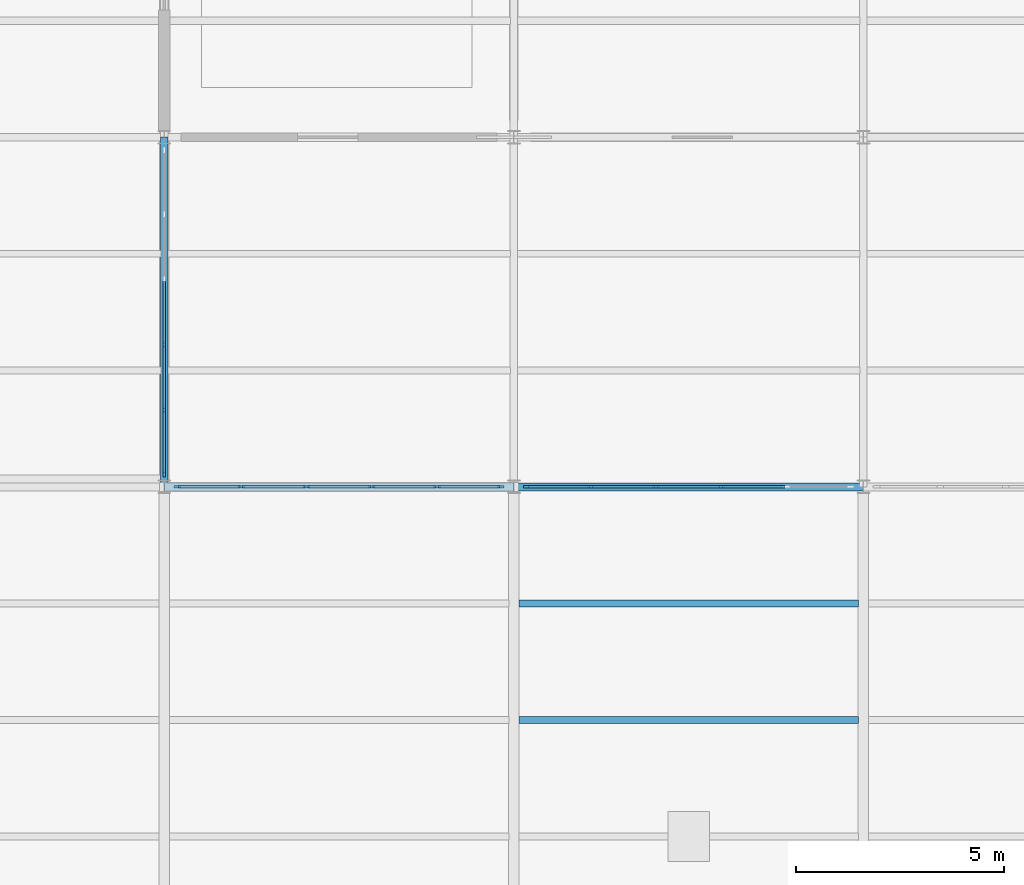
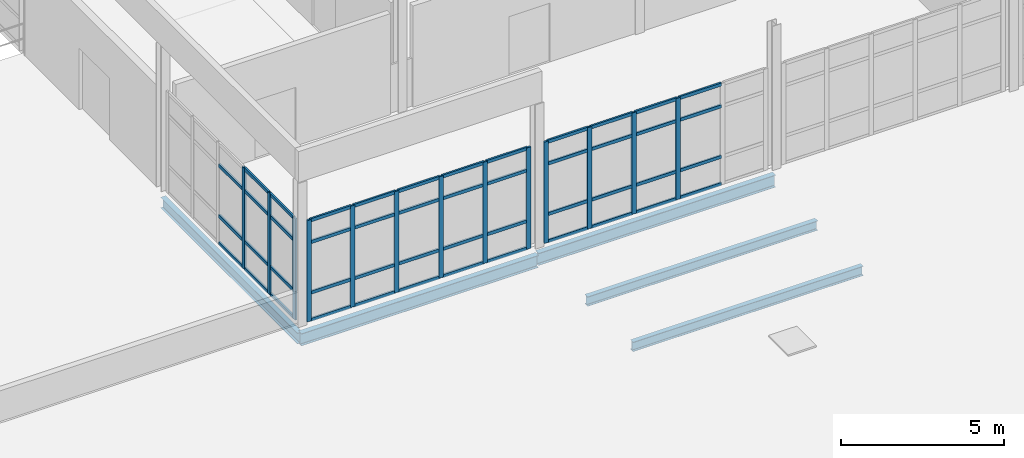
# One storey, part 8 of 33: 60 members, 5 beams, 3 elements without a shape of their own.
"""IFC4 building model written with IfcOpenShell, lengths in metres."""

from ifc_helpers import new_model, si_unit, direction, frame, origin, origin_2d, place, context, subcontext, project, spatial, rectangle, i_section, extrude, material, layer, layer_set, material_profile, profile_set, type_object, element, aggregate, save


model = new_model("IFC4")

# Units and contexts
model_context = context("Model", 3, precision=1e-05, world=origin(), true_north=direction((0.0, 1.0)))
body_context = subcontext(model_context, "Body", "Model", "MODEL_VIEW")
ifc_project = project(units=[si_unit("LENGTHUNIT", "METRE"), si_unit("AREAUNIT", "SQUARE_METRE"), si_unit("VOLUMEUNIT", "CUBIC_METRE"), si_unit("PLANEANGLEUNIT", "RADIAN"), si_unit("MASSUNIT", "GRAM", prefix="KILO"), si_unit("THERMODYNAMICTEMPERATUREUNIT", "KELVIN"), si_unit("POWERUNIT", "WATT")], contexts=[model_context])

# Site, building, storey
site_placement = place(None, origin())
site = spatial("IfcSite", under=ifc_project, at=site_placement, CompositionType="ELEMENT")
building_placement = place(site_placement, origin())
building = spatial("IfcBuilding", under=site, at=building_placement, Name="Tembeka Court Mobility Hub", CompositionType="ELEMENT")
storey_placement = place(building_placement, frame((0.0, 0.0, 23.39990234375)))
storey = spatial("IfcBuildingStorey", under=building, at=storey_placement, Name="L06", CompositionType="ELEMENT", Elevation=23.39990234375)

# Beams
ifc_material_1 = material(Name="Steel S355", Category="steel")
ifc_material_profile_1 = material_profile(ifc_material_1, i_section(OverallWidth=0.18994140625, OverallDepth=0.45703125, WebThickness=0.009033203125, FlangeThickness=0.014404296875, FilletRadius=0.01025390625, at=origin_2d()), Name="UKB 457x191x74")
ifc_profile_set_1 = profile_set([ifc_material_profile_1], Name="Steel S355")
beam_type_1 = type_object("IfcBeamType", Name="BM-B01", PredefinedType="BEAM", material=ifc_profile_set_1)
for number, where, z_axis, x_axis, name in (
    (1, (33.60009765625, 38.39990234375, -0.54833984375), (1.0, 0.0, 0.0), (0.0, 1.0, 0.0), "Beam B01 (BM-L06-X3115)"),
    (2, (42.0, 38.39990234375, -0.478515625), (1.0, 0.0, 0.0), (0.0, 1.0, 0.0), "Beam B01 (BM-L06-X3116)"),
):
    element("IfcBeam", number, at=place(storey_placement, frame(where, z_axis=z_axis, x_axis=x_axis)), inside=storey, type_object=beam_type_1, Name=name, PredefinedType="BEAM", context=body_context, shape_type="SweptSolid", body=[
        extrude(i_section(OverallWidth=0.18994140625, OverallDepth=0.45703125, WebThickness=0.009033203125, FlangeThickness=0.014404296875, FilletRadius=0.01025390625, at=origin_2d()), origin(), (0.0, 0.0, 1.0), 8.39990234375),
    ])
ifc_material_profile_2 = material_profile(ifc_material_1, i_section(OverallWidth=0.177978515625, OverallDepth=0.406005859375, WebThickness=0.0078125, FlangeThickness=0.0126953125, FilletRadius=0.01025390625, at=origin_2d()), Name="UKB 406x178x60")
ifc_profile_set_2 = profile_set([ifc_material_profile_2], Name="Steel S355")
beam_type_2 = type_object("IfcBeamType", Name="BM-B02", PredefinedType="BEAM", material=ifc_profile_set_2)
beam_placement = place(storey_placement, frame((33.60009765625, 38.39990234375, -0.52294921875), z_axis=(0.0, 1.0, 0.0), x_axis=(-1.0, 0.0, 0.0)))
element("IfcBeam", 3, at=beam_placement, inside=storey, type_object=beam_type_2, Name="Beam B02 (BM-L06-Y3233)", PredefinedType="BEAM", context=body_context, shape_type="SweptSolid", body=[
    extrude(i_section(OverallWidth=0.177978515625, OverallDepth=0.406005859375, WebThickness=0.0078125, FlangeThickness=0.0126953125, FilletRadius=0.01025390625, at=origin_2d()), origin(), (0.0, 0.0, 1.0), 8.400146484375),
])
ifc_material_profile_3 = material_profile(ifc_material_1, i_section(OverallWidth=0.172119140625, OverallDepth=0.35498046875, WebThickness=0.00732421875, FlangeThickness=0.011474609375, FilletRadius=0.01025390625, at=origin_2d()), Name="UKB 356x171x51")
ifc_profile_set_3 = profile_set([ifc_material_profile_3], Name="Steel S355")
beam_type_3 = type_object("IfcBeamType", Name="BM-J01", PredefinedType="JOIST", material=ifc_profile_set_3)
for number, where, z_axis, x_axis, name in (
    (4, (42.1220703125, 32.800048828125, -0.407470703125), (1.0, 0.0, 0.0), (0.0, 1.0, 0.0), "Beam J01 (JST-L06-3388)"),
    (5, (42.1220703125, 35.60009765625, -0.407470703125), (1.0, 0.0, 0.0), (0.0, 1.0, 0.0), "Beam J01 (JST-L06-3389)"),
):
    element("IfcBeam", number, at=place(storey_placement, frame(where, z_axis=z_axis, x_axis=x_axis)), inside=storey, type_object=beam_type_3, Name=name, PredefinedType="JOIST", context=body_context, shape_type="SweptSolid", body=[
        extrude(i_section(OverallWidth=0.172119140625, OverallDepth=0.35498046875, WebThickness=0.00732421875, FlangeThickness=0.011474609375, FilletRadius=0.01025390625, at=origin_2d()), origin(), (0.0, 0.0, 1.0), 8.156005859375),
    ])

# Curtain wall, members
ifc_material_2 = material(Name="Anodised aluminium 6063-T6", Category="aluminium")
ifc_layer = layer(ifc_material_2, 0.159912109375)
ifc_layer_set = layer_set([ifc_layer], Name="Anodised aluminium 6063-T6")
curtain_wall_type = type_object("IfcCurtainWallType", Name="CW-SYS57", PredefinedType="USERDEFINED", material=ifc_layer_set)
curtain_wall_1_placement = place(storey_placement, origin())
curtain_wall_1 = element("IfcCurtainWall", 6, at=curtain_wall_1_placement, inside=storey, type_object=curtain_wall_type, Name="Unitised curtain wall CW57 (CW-L06-150)", ObjectType="UNITISED GLAZING", PredefinedType="USERDEFINED")
ifc_material_profile_4 = material_profile(ifc_material_2, rectangle(XDim=0.06494140625, YDim=0.159912109375, at=origin_2d()), Name="ALU-MUL 65x160")
ifc_profile_set_4 = profile_set([ifc_material_profile_4], Name="Anodised aluminium 6063-T6")
member_type_1 = type_object("IfcMemberType", Name="CW-MUL01", PredefinedType="MULLION", material=ifc_profile_set_4)
member_1_placement = place(storey_placement, frame((33.60009765625, 38.71240234375, 0.0), z_axis=(0.0, 0.0, 1.0), x_axis=(-1.0, 0.0, 0.0)))
member_1 = element("IfcMember", 7, at=member_1_placement, type_object=member_type_1, Name="CW57 mullion 1", PredefinedType="MULLION", context=body_context, shape_type="SweptSolid", body=[
    extrude(rectangle(XDim=0.06494140625, YDim=0.159912109375, at=origin_2d()), origin(), (0.0, 0.0, 1.0), 3.795166015625),
])
member_2_placement = place(storey_placement, frame((33.60009765625, 40.248046875, 0.0), z_axis=(0.0, 0.0, 1.0), x_axis=(-1.0, 0.0, 0.0)))
member_2 = element("IfcMember", 8, at=member_2_placement, type_object=member_type_1, Name="CW57 mullion 2", PredefinedType="MULLION", context=body_context, shape_type="SweptSolid", body=[
    extrude(rectangle(XDim=0.06494140625, YDim=0.159912109375, at=origin_2d()), origin(), (0.0, 0.0, 1.0), 3.795166015625),
])
member_3_placement = place(storey_placement, frame((33.60009765625, 41.81591796875, 0.0), z_axis=(0.0, 0.0, 1.0), x_axis=(-1.0, 0.0, 0.0)))
member_3 = element("IfcMember", 9, at=member_3_placement, type_object=member_type_1, Name="CW57 mullion 3", PredefinedType="MULLION", context=body_context, shape_type="SweptSolid", body=[
    extrude(rectangle(XDim=0.06494140625, YDim=0.159912109375, at=origin_2d()), origin(), (0.0, 0.0, 1.0), 3.795166015625),
])

curtain_wall_2_placement = place(storey_placement, origin())
curtain_wall_2 = element("IfcCurtainWall", 10, at=curtain_wall_2_placement, inside=storey, type_object=curtain_wall_type, Name="Unitised curtain wall CW57 (CW-L06-152)", ObjectType="UNITISED GLAZING", PredefinedType="USERDEFINED")
member_4_placement = place(storey_placement, frame((33.91259765625, 38.39990234375, 0.0), z_axis=(0.0, 0.0, 1.0), x_axis=(0.0, 1.0, 0.0)))
member_4 = element("IfcMember", 11, at=member_4_placement, type_object=member_type_1, Name="CW57 mullion 1", PredefinedType="MULLION", context=body_context, shape_type="SweptSolid", body=[
    extrude(rectangle(XDim=0.06494140625, YDim=0.159912109375, at=origin_2d()), origin(), (0.0, 0.0, 1.0), 3.795166015625),
])
member_5_placement = place(storey_placement, frame((35.447998046875, 38.39990234375, 0.0), z_axis=(0.0, 0.0, 1.0), x_axis=(0.0, 1.0, 0.0)))
member_5 = element("IfcMember", 12, at=member_5_placement, type_object=member_type_1, Name="CW57 mullion 2", PredefinedType="MULLION", context=body_context, shape_type="SweptSolid", body=[
    extrude(rectangle(XDim=0.06494140625, YDim=0.159912109375, at=origin_2d()), origin(), (0.0, 0.0, 1.0), 3.795166015625),
])
member_6_placement = place(storey_placement, frame((37.01611328125, 38.39990234375, 0.0), z_axis=(0.0, 0.0, 1.0), x_axis=(0.0, 1.0, 0.0)))
member_6 = element("IfcMember", 13, at=member_6_placement, type_object=member_type_1, Name="CW57 mullion 3", PredefinedType="MULLION", context=body_context, shape_type="SweptSolid", body=[
    extrude(rectangle(XDim=0.06494140625, YDim=0.159912109375, at=origin_2d()), origin(), (0.0, 0.0, 1.0), 3.795166015625),
])
member_7_placement = place(storey_placement, frame((38.583984375, 38.39990234375, 0.0), z_axis=(0.0, 0.0, 1.0), x_axis=(0.0, 1.0, 0.0)))
member_7 = element("IfcMember", 14, at=member_7_placement, type_object=member_type_1, Name="CW57 mullion 4", PredefinedType="MULLION", context=body_context, shape_type="SweptSolid", body=[
    extrude(rectangle(XDim=0.06494140625, YDim=0.159912109375, at=origin_2d()), origin(), (0.0, 0.0, 1.0), 3.795166015625),
])
member_8_placement = place(storey_placement, frame((40.152099609375, 38.39990234375, 0.0), z_axis=(0.0, 0.0, 1.0), x_axis=(0.0, 1.0, 0.0)))
member_8 = element("IfcMember", 15, at=member_8_placement, type_object=member_type_1, Name="CW57 mullion 5", PredefinedType="MULLION", context=body_context, shape_type="SweptSolid", body=[
    extrude(rectangle(XDim=0.06494140625, YDim=0.159912109375, at=origin_2d()), origin(), (0.0, 0.0, 1.0), 3.795166015625),
])
member_9_placement = place(storey_placement, frame((41.6875, 38.39990234375, 0.0), z_axis=(0.0, 0.0, 1.0), x_axis=(0.0, 1.0, 0.0)))
member_9 = element("IfcMember", 16, at=member_9_placement, type_object=member_type_1, Name="CW57 mullion 6", PredefinedType="MULLION", context=body_context, shape_type="SweptSolid", body=[
    extrude(rectangle(XDim=0.06494140625, YDim=0.159912109375, at=origin_2d()), origin(), (0.0, 0.0, 1.0), 3.795166015625),
])

curtain_wall_3_placement = place(storey_placement, origin())
curtain_wall_3 = element("IfcCurtainWall", 17, at=curtain_wall_3_placement, inside=storey, type_object=curtain_wall_type, Name="Unitised curtain wall CW57 (CW-L06-154)", ObjectType="UNITISED GLAZING", PredefinedType="USERDEFINED")
member_10_placement = place(storey_placement, frame((42.3125, 38.39990234375, 0.0), z_axis=(0.0, 0.0, 1.0), x_axis=(0.0, 1.0, 0.0)))
member_10 = element("IfcMember", 18, at=member_10_placement, type_object=member_type_1, Name="CW57 mullion 1", PredefinedType="MULLION", context=body_context, shape_type="SweptSolid", body=[
    extrude(rectangle(XDim=0.06494140625, YDim=0.159912109375, at=origin_2d()), origin(), (0.0, 0.0, 1.0), 3.795166015625),
])
member_11_placement = place(storey_placement, frame((43.847900390625, 38.39990234375, 0.0), z_axis=(0.0, 0.0, 1.0), x_axis=(0.0, 1.0, 0.0)))
member_11 = element("IfcMember", 19, at=member_11_placement, type_object=member_type_1, Name="CW57 mullion 2", PredefinedType="MULLION", context=body_context, shape_type="SweptSolid", body=[
    extrude(rectangle(XDim=0.06494140625, YDim=0.159912109375, at=origin_2d()), origin(), (0.0, 0.0, 1.0), 3.795166015625),
])
member_12_placement = place(storey_placement, frame((45.416015625, 38.39990234375, 0.0), z_axis=(0.0, 0.0, 1.0), x_axis=(0.0, 1.0, 0.0)))
member_12 = element("IfcMember", 20, at=member_12_placement, type_object=member_type_1, Name="CW57 mullion 3", PredefinedType="MULLION", context=body_context, shape_type="SweptSolid", body=[
    extrude(rectangle(XDim=0.06494140625, YDim=0.159912109375, at=origin_2d()), origin(), (0.0, 0.0, 1.0), 3.795166015625),
])
member_13_placement = place(storey_placement, frame((46.98388671875, 38.39990234375, 0.0), z_axis=(0.0, 0.0, 1.0), x_axis=(0.0, 1.0, 0.0)))
member_13 = element("IfcMember", 21, at=member_13_placement, type_object=member_type_1, Name="CW57 mullion 4", PredefinedType="MULLION", context=body_context, shape_type="SweptSolid", body=[
    extrude(rectangle(XDim=0.06494140625, YDim=0.159912109375, at=origin_2d()), origin(), (0.0, 0.0, 1.0), 3.795166015625),
])

# Member
ifc_material_profile_5 = material_profile(ifc_material_2, rectangle(XDim=0.06494140625, YDim=0.1201171875, at=origin_2d()), Name="ALU-TRN 65x120")
ifc_profile_set_5 = profile_set([ifc_material_profile_5], Name="Anodised aluminium 6063-T6")
member_type_2 = type_object("IfcMemberType", Name="CW-TRN01", PredefinedType="USERDEFINED", material=ifc_profile_set_5)
member_14_placement = place(storey_placement, frame((33.60009765625, 38.7451171875, 0.03271484375), z_axis=(0.0, 1.0, 0.0), x_axis=(-1.0, 0.0, 0.0)))
member_14 = element("IfcMember", 22, at=member_14_placement, type_object=member_type_2, Name="CW57 transom 1.1", ObjectType="TRANSOM", PredefinedType="USERDEFINED", context=body_context, shape_type="SweptSolid", body=[
    extrude(rectangle(XDim=0.06494140625, YDim=0.1201171875, at=origin_2d()), origin(), (0.0, 0.0, 1.0), 1.470458984375),
])

member_15_placement = place(storey_placement, frame((33.60009765625, 38.7451171875, 1.050048828125), z_axis=(0.0, 1.0, 0.0), x_axis=(-1.0, 0.0, 0.0)))
member_15 = element("IfcMember", 23, at=member_15_placement, type_object=member_type_2, Name="CW57 transom 1.2", ObjectType="TRANSOM", PredefinedType="USERDEFINED", context=body_context, shape_type="SweptSolid", body=[
    extrude(rectangle(XDim=0.06494140625, YDim=0.1201171875, at=origin_2d()), origin(), (0.0, 0.0, 1.0), 1.470458984375),
])

member_16_placement = place(storey_placement, frame((33.60009765625, 38.7451171875, 2.945068359375), z_axis=(0.0, 1.0, 0.0), x_axis=(-1.0, 0.0, 0.0)))
member_16 = element("IfcMember", 24, at=member_16_placement, type_object=member_type_2, Name="CW57 transom 1.3", ObjectType="TRANSOM", PredefinedType="USERDEFINED", context=body_context, shape_type="SweptSolid", body=[
    extrude(rectangle(XDim=0.06494140625, YDim=0.1201171875, at=origin_2d()), origin(), (0.0, 0.0, 1.0), 1.470458984375),
])

member_17_placement = place(storey_placement, frame((33.60009765625, 38.7451171875, 3.7626953125), z_axis=(0.0, 1.0, 0.0), x_axis=(-1.0, 0.0, 0.0)))
member_17 = element("IfcMember", 25, at=member_17_placement, type_object=member_type_2, Name="CW57 transom 1.4", ObjectType="TRANSOM", PredefinedType="USERDEFINED", context=body_context, shape_type="SweptSolid", body=[
    extrude(rectangle(XDim=0.06494140625, YDim=0.1201171875, at=origin_2d()), origin(), (0.0, 0.0, 1.0), 1.470458984375),
])

member_18_placement = place(storey_placement, frame((33.60009765625, 40.280517578125, 0.03271484375), z_axis=(0.0, 1.0, 0.0), x_axis=(-1.0, 0.0, 0.0)))
member_18 = element("IfcMember", 26, at=member_18_placement, type_object=member_type_2, Name="CW57 transom 2.1", ObjectType="TRANSOM", PredefinedType="USERDEFINED", context=body_context, shape_type="SweptSolid", body=[
    extrude(rectangle(XDim=0.06494140625, YDim=0.1201171875, at=origin_2d()), origin(), (0.0, 0.0, 1.0), 1.5029296875),
])

member_19_placement = place(storey_placement, frame((33.60009765625, 40.280517578125, 1.050048828125), z_axis=(0.0, 1.0, 0.0), x_axis=(-1.0, 0.0, 0.0)))
member_19 = element("IfcMember", 27, at=member_19_placement, type_object=member_type_2, Name="CW57 transom 2.2", ObjectType="TRANSOM", PredefinedType="USERDEFINED", context=body_context, shape_type="SweptSolid", body=[
    extrude(rectangle(XDim=0.06494140625, YDim=0.1201171875, at=origin_2d()), origin(), (0.0, 0.0, 1.0), 1.5029296875),
])

member_20_placement = place(storey_placement, frame((33.60009765625, 40.280517578125, 2.945068359375), z_axis=(0.0, 1.0, 0.0), x_axis=(-1.0, 0.0, 0.0)))
member_20 = element("IfcMember", 28, at=member_20_placement, type_object=member_type_2, Name="CW57 transom 2.3", ObjectType="TRANSOM", PredefinedType="USERDEFINED", context=body_context, shape_type="SweptSolid", body=[
    extrude(rectangle(XDim=0.06494140625, YDim=0.1201171875, at=origin_2d()), origin(), (0.0, 0.0, 1.0), 1.5029296875),
])

member_21_placement = place(storey_placement, frame((33.60009765625, 40.280517578125, 3.7626953125), z_axis=(0.0, 1.0, 0.0), x_axis=(-1.0, 0.0, 0.0)))
member_21 = element("IfcMember", 29, at=member_21_placement, type_object=member_type_2, Name="CW57 transom 2.4", ObjectType="TRANSOM", PredefinedType="USERDEFINED", context=body_context, shape_type="SweptSolid", body=[
    extrude(rectangle(XDim=0.06494140625, YDim=0.1201171875, at=origin_2d()), origin(), (0.0, 0.0, 1.0), 1.5029296875),
])

member_22_placement = place(storey_placement, frame((33.60009765625, 41.848388671875, 0.03271484375), z_axis=(0.0, 1.0, 0.0), x_axis=(-1.0, 0.0, 0.0)))
member_22 = element("IfcMember", 30, at=member_22_placement, type_object=member_type_2, Name="CW57 transom 3.1", ObjectType="TRANSOM", PredefinedType="USERDEFINED", context=body_context, shape_type="SweptSolid", body=[
    extrude(rectangle(XDim=0.06494140625, YDim=0.1201171875, at=origin_2d()), origin(), (0.0, 0.0, 1.0), 1.503173828125),
])

member_23_placement = place(storey_placement, frame((33.60009765625, 41.848388671875, 1.050048828125), z_axis=(0.0, 1.0, 0.0), x_axis=(-1.0, 0.0, 0.0)))
member_23 = element("IfcMember", 31, at=member_23_placement, type_object=member_type_2, Name="CW57 transom 3.2", ObjectType="TRANSOM", PredefinedType="USERDEFINED", context=body_context, shape_type="SweptSolid", body=[
    extrude(rectangle(XDim=0.06494140625, YDim=0.1201171875, at=origin_2d()), origin(), (0.0, 0.0, 1.0), 1.503173828125),
])

member_24_placement = place(storey_placement, frame((33.60009765625, 41.848388671875, 2.945068359375), z_axis=(0.0, 1.0, 0.0), x_axis=(-1.0, 0.0, 0.0)))
member_24 = element("IfcMember", 32, at=member_24_placement, type_object=member_type_2, Name="CW57 transom 3.3", ObjectType="TRANSOM", PredefinedType="USERDEFINED", context=body_context, shape_type="SweptSolid", body=[
    extrude(rectangle(XDim=0.06494140625, YDim=0.1201171875, at=origin_2d()), origin(), (0.0, 0.0, 1.0), 1.503173828125),
])

aggregate(curtain_wall_1, [member_1, member_2, member_3, member_14, member_15, member_16, member_17, member_18, member_19, member_20, member_21, member_22, member_23, member_24])

member_25_placement = place(storey_placement, frame((33.945068359375, 38.39990234375, 0.03271484375), z_axis=(1.0, 0.0, 0.0), x_axis=(0.0, 1.0, 0.0)))
member_25 = element("IfcMember", 33, at=member_25_placement, type_object=member_type_2, Name="CW57 transom 1.1", ObjectType="TRANSOM", PredefinedType="USERDEFINED", context=body_context, shape_type="SweptSolid", body=[
    extrude(rectangle(XDim=0.06494140625, YDim=0.1201171875, at=origin_2d()), origin(), (0.0, 0.0, 1.0), 1.470458984375),
])

member_26_placement = place(storey_placement, frame((33.945068359375, 38.39990234375, 1.050048828125), z_axis=(1.0, 0.0, 0.0), x_axis=(0.0, 1.0, 0.0)))
member_26 = element("IfcMember", 34, at=member_26_placement, type_object=member_type_2, Name="CW57 transom 1.2", ObjectType="TRANSOM", PredefinedType="USERDEFINED", context=body_context, shape_type="SweptSolid", body=[
    extrude(rectangle(XDim=0.06494140625, YDim=0.1201171875, at=origin_2d()), origin(), (0.0, 0.0, 1.0), 1.470458984375),
])

member_27_placement = place(storey_placement, frame((33.945068359375, 38.39990234375, 2.945068359375), z_axis=(1.0, 0.0, 0.0), x_axis=(0.0, 1.0, 0.0)))
member_27 = element("IfcMember", 35, at=member_27_placement, type_object=member_type_2, Name="CW57 transom 1.3", ObjectType="TRANSOM", PredefinedType="USERDEFINED", context=body_context, shape_type="SweptSolid", body=[
    extrude(rectangle(XDim=0.06494140625, YDim=0.1201171875, at=origin_2d()), origin(), (0.0, 0.0, 1.0), 1.470458984375),
])

member_28_placement = place(storey_placement, frame((33.945068359375, 38.39990234375, 3.7626953125), z_axis=(1.0, 0.0, 0.0), x_axis=(0.0, 1.0, 0.0)))
member_28 = element("IfcMember", 36, at=member_28_placement, type_object=member_type_2, Name="CW57 transom 1.4", ObjectType="TRANSOM", PredefinedType="USERDEFINED", context=body_context, shape_type="SweptSolid", body=[
    extrude(rectangle(XDim=0.06494140625, YDim=0.1201171875, at=origin_2d()), origin(), (0.0, 0.0, 1.0), 1.470458984375),
])

member_29_placement = place(storey_placement, frame((35.48046875, 38.39990234375, 0.03271484375), z_axis=(1.0, 0.0, 0.0), x_axis=(0.0, 1.0, 0.0)))
member_29 = element("IfcMember", 37, at=member_29_placement, type_object=member_type_2, Name="CW57 transom 2.1", ObjectType="TRANSOM", PredefinedType="USERDEFINED", context=body_context, shape_type="SweptSolid", body=[
    extrude(rectangle(XDim=0.06494140625, YDim=0.1201171875, at=origin_2d()), origin(), (0.0, 0.0, 1.0), 1.5029296875),
])

member_30_placement = place(storey_placement, frame((35.48046875, 38.39990234375, 1.050048828125), z_axis=(1.0, 0.0, 0.0), x_axis=(0.0, 1.0, 0.0)))
member_30 = element("IfcMember", 38, at=member_30_placement, type_object=member_type_2, Name="CW57 transom 2.2", ObjectType="TRANSOM", PredefinedType="USERDEFINED", context=body_context, shape_type="SweptSolid", body=[
    extrude(rectangle(XDim=0.06494140625, YDim=0.1201171875, at=origin_2d()), origin(), (0.0, 0.0, 1.0), 1.5029296875),
])

member_31_placement = place(storey_placement, frame((35.48046875, 38.39990234375, 2.945068359375), z_axis=(1.0, 0.0, 0.0), x_axis=(0.0, 1.0, 0.0)))
member_31 = element("IfcMember", 39, at=member_31_placement, type_object=member_type_2, Name="CW57 transom 2.3", ObjectType="TRANSOM", PredefinedType="USERDEFINED", context=body_context, shape_type="SweptSolid", body=[
    extrude(rectangle(XDim=0.06494140625, YDim=0.1201171875, at=origin_2d()), origin(), (0.0, 0.0, 1.0), 1.5029296875),
])

member_32_placement = place(storey_placement, frame((35.48046875, 38.39990234375, 3.7626953125), z_axis=(1.0, 0.0, 0.0), x_axis=(0.0, 1.0, 0.0)))
member_32 = element("IfcMember", 40, at=member_32_placement, type_object=member_type_2, Name="CW57 transom 2.4", ObjectType="TRANSOM", PredefinedType="USERDEFINED", context=body_context, shape_type="SweptSolid", body=[
    extrude(rectangle(XDim=0.06494140625, YDim=0.1201171875, at=origin_2d()), origin(), (0.0, 0.0, 1.0), 1.5029296875),
])

member_33_placement = place(storey_placement, frame((37.048583984375, 38.39990234375, 0.03271484375), z_axis=(1.0, 0.0, 0.0), x_axis=(0.0, 1.0, 0.0)))
member_33 = element("IfcMember", 41, at=member_33_placement, type_object=member_type_2, Name="CW57 transom 3.1", ObjectType="TRANSOM", PredefinedType="USERDEFINED", context=body_context, shape_type="SweptSolid", body=[
    extrude(rectangle(XDim=0.06494140625, YDim=0.1201171875, at=origin_2d()), origin(), (0.0, 0.0, 1.0), 1.5029296875),
])

member_34_placement = place(storey_placement, frame((37.048583984375, 38.39990234375, 1.050048828125), z_axis=(1.0, 0.0, 0.0), x_axis=(0.0, 1.0, 0.0)))
member_34 = element("IfcMember", 42, at=member_34_placement, type_object=member_type_2, Name="CW57 transom 3.2", ObjectType="TRANSOM", PredefinedType="USERDEFINED", context=body_context, shape_type="SweptSolid", body=[
    extrude(rectangle(XDim=0.06494140625, YDim=0.1201171875, at=origin_2d()), origin(), (0.0, 0.0, 1.0), 1.5029296875),
])

member_35_placement = place(storey_placement, frame((37.048583984375, 38.39990234375, 2.945068359375), z_axis=(1.0, 0.0, 0.0), x_axis=(0.0, 1.0, 0.0)))
member_35 = element("IfcMember", 43, at=member_35_placement, type_object=member_type_2, Name="CW57 transom 3.3", ObjectType="TRANSOM", PredefinedType="USERDEFINED", context=body_context, shape_type="SweptSolid", body=[
    extrude(rectangle(XDim=0.06494140625, YDim=0.1201171875, at=origin_2d()), origin(), (0.0, 0.0, 1.0), 1.5029296875),
])

member_36_placement = place(storey_placement, frame((37.048583984375, 38.39990234375, 3.7626953125), z_axis=(1.0, 0.0, 0.0), x_axis=(0.0, 1.0, 0.0)))
member_36 = element("IfcMember", 44, at=member_36_placement, type_object=member_type_2, Name="CW57 transom 3.4", ObjectType="TRANSOM", PredefinedType="USERDEFINED", context=body_context, shape_type="SweptSolid", body=[
    extrude(rectangle(XDim=0.06494140625, YDim=0.1201171875, at=origin_2d()), origin(), (0.0, 0.0, 1.0), 1.5029296875),
])

member_37_placement = place(storey_placement, frame((38.616455078125, 38.39990234375, 0.03271484375), z_axis=(1.0, 0.0, 0.0), x_axis=(0.0, 1.0, 0.0)))
member_37 = element("IfcMember", 45, at=member_37_placement, type_object=member_type_2, Name="CW57 transom 4.1", ObjectType="TRANSOM", PredefinedType="USERDEFINED", context=body_context, shape_type="SweptSolid", body=[
    extrude(rectangle(XDim=0.06494140625, YDim=0.1201171875, at=origin_2d()), origin(), (0.0, 0.0, 1.0), 1.5029296875),
])

member_38_placement = place(storey_placement, frame((38.616455078125, 38.39990234375, 1.050048828125), z_axis=(1.0, 0.0, 0.0), x_axis=(0.0, 1.0, 0.0)))
member_38 = element("IfcMember", 46, at=member_38_placement, type_object=member_type_2, Name="CW57 transom 4.2", ObjectType="TRANSOM", PredefinedType="USERDEFINED", context=body_context, shape_type="SweptSolid", body=[
    extrude(rectangle(XDim=0.06494140625, YDim=0.1201171875, at=origin_2d()), origin(), (0.0, 0.0, 1.0), 1.5029296875),
])

member_39_placement = place(storey_placement, frame((38.616455078125, 38.39990234375, 2.945068359375), z_axis=(1.0, 0.0, 0.0), x_axis=(0.0, 1.0, 0.0)))
member_39 = element("IfcMember", 47, at=member_39_placement, type_object=member_type_2, Name="CW57 transom 4.3", ObjectType="TRANSOM", PredefinedType="USERDEFINED", context=body_context, shape_type="SweptSolid", body=[
    extrude(rectangle(XDim=0.06494140625, YDim=0.1201171875, at=origin_2d()), origin(), (0.0, 0.0, 1.0), 1.5029296875),
])

member_40_placement = place(storey_placement, frame((38.616455078125, 38.39990234375, 3.7626953125), z_axis=(1.0, 0.0, 0.0), x_axis=(0.0, 1.0, 0.0)))
member_40 = element("IfcMember", 48, at=member_40_placement, type_object=member_type_2, Name="CW57 transom 4.4", ObjectType="TRANSOM", PredefinedType="USERDEFINED", context=body_context, shape_type="SweptSolid", body=[
    extrude(rectangle(XDim=0.06494140625, YDim=0.1201171875, at=origin_2d()), origin(), (0.0, 0.0, 1.0), 1.5029296875),
])

member_41_placement = place(storey_placement, frame((40.1845703125, 38.39990234375, 0.03271484375), z_axis=(1.0, 0.0, 0.0), x_axis=(0.0, 1.0, 0.0)))
member_41 = element("IfcMember", 49, at=member_41_placement, type_object=member_type_2, Name="CW57 transom 5.1", ObjectType="TRANSOM", PredefinedType="USERDEFINED", context=body_context, shape_type="SweptSolid", body=[
    extrude(rectangle(XDim=0.06494140625, YDim=0.1201171875, at=origin_2d()), origin(), (0.0, 0.0, 1.0), 1.470458984375),
])

member_42_placement = place(storey_placement, frame((40.1845703125, 38.39990234375, 1.050048828125), z_axis=(1.0, 0.0, 0.0), x_axis=(0.0, 1.0, 0.0)))
member_42 = element("IfcMember", 50, at=member_42_placement, type_object=member_type_2, Name="CW57 transom 5.2", ObjectType="TRANSOM", PredefinedType="USERDEFINED", context=body_context, shape_type="SweptSolid", body=[
    extrude(rectangle(XDim=0.06494140625, YDim=0.1201171875, at=origin_2d()), origin(), (0.0, 0.0, 1.0), 1.470458984375),
])

member_43_placement = place(storey_placement, frame((40.1845703125, 38.39990234375, 2.945068359375), z_axis=(1.0, 0.0, 0.0), x_axis=(0.0, 1.0, 0.0)))
member_43 = element("IfcMember", 51, at=member_43_placement, type_object=member_type_2, Name="CW57 transom 5.3", ObjectType="TRANSOM", PredefinedType="USERDEFINED", context=body_context, shape_type="SweptSolid", body=[
    extrude(rectangle(XDim=0.06494140625, YDim=0.1201171875, at=origin_2d()), origin(), (0.0, 0.0, 1.0), 1.470458984375),
])

member_44_placement = place(storey_placement, frame((40.1845703125, 38.39990234375, 3.7626953125), z_axis=(1.0, 0.0, 0.0), x_axis=(0.0, 1.0, 0.0)))
member_44 = element("IfcMember", 52, at=member_44_placement, type_object=member_type_2, Name="CW57 transom 5.4", ObjectType="TRANSOM", PredefinedType="USERDEFINED", context=body_context, shape_type="SweptSolid", body=[
    extrude(rectangle(XDim=0.06494140625, YDim=0.1201171875, at=origin_2d()), origin(), (0.0, 0.0, 1.0), 1.470458984375),
])

aggregate(curtain_wall_2, [member_4, member_5, member_6, member_7, member_8, member_9, member_25, member_26, member_27, member_28, member_29, member_30, member_31, member_32, member_33, member_34, member_35, member_36, member_37, member_38, member_39, member_40, member_41, member_42, member_43, member_44])

member_45_placement = place(storey_placement, frame((42.344970703125, 38.39990234375, 0.03271484375), z_axis=(1.0, 0.0, 0.0), x_axis=(0.0, 1.0, 0.0)))
member_45 = element("IfcMember", 53, at=member_45_placement, type_object=member_type_2, Name="CW57 transom 1.1", ObjectType="TRANSOM", PredefinedType="USERDEFINED", context=body_context, shape_type="SweptSolid", body=[
    extrude(rectangle(XDim=0.06494140625, YDim=0.1201171875, at=origin_2d()), origin(), (0.0, 0.0, 1.0), 1.470458984375),
])

member_46_placement = place(storey_placement, frame((42.344970703125, 38.39990234375, 1.050048828125), z_axis=(1.0, 0.0, 0.0), x_axis=(0.0, 1.0, 0.0)))
member_46 = element("IfcMember", 54, at=member_46_placement, type_object=member_type_2, Name="CW57 transom 1.2", ObjectType="TRANSOM", PredefinedType="USERDEFINED", context=body_context, shape_type="SweptSolid", body=[
    extrude(rectangle(XDim=0.06494140625, YDim=0.1201171875, at=origin_2d()), origin(), (0.0, 0.0, 1.0), 1.470458984375),
])

member_47_placement = place(storey_placement, frame((42.344970703125, 38.39990234375, 2.945068359375), z_axis=(1.0, 0.0, 0.0), x_axis=(0.0, 1.0, 0.0)))
member_47 = element("IfcMember", 55, at=member_47_placement, type_object=member_type_2, Name="CW57 transom 1.3", ObjectType="TRANSOM", PredefinedType="USERDEFINED", context=body_context, shape_type="SweptSolid", body=[
    extrude(rectangle(XDim=0.06494140625, YDim=0.1201171875, at=origin_2d()), origin(), (0.0, 0.0, 1.0), 1.470458984375),
])

member_48_placement = place(storey_placement, frame((42.344970703125, 38.39990234375, 3.7626953125), z_axis=(1.0, 0.0, 0.0), x_axis=(0.0, 1.0, 0.0)))
member_48 = element("IfcMember", 56, at=member_48_placement, type_object=member_type_2, Name="CW57 transom 1.4", ObjectType="TRANSOM", PredefinedType="USERDEFINED", context=body_context, shape_type="SweptSolid", body=[
    extrude(rectangle(XDim=0.06494140625, YDim=0.1201171875, at=origin_2d()), origin(), (0.0, 0.0, 1.0), 1.470458984375),
])

member_49_placement = place(storey_placement, frame((43.880615234375, 38.39990234375, 0.03271484375), z_axis=(1.0, 0.0, 0.0), x_axis=(0.0, 1.0, 0.0)))
member_49 = element("IfcMember", 57, at=member_49_placement, type_object=member_type_2, Name="CW57 transom 2.1", ObjectType="TRANSOM", PredefinedType="USERDEFINED", context=body_context, shape_type="SweptSolid", body=[
    extrude(rectangle(XDim=0.06494140625, YDim=0.1201171875, at=origin_2d()), origin(), (0.0, 0.0, 1.0), 1.5029296875),
])

member_50_placement = place(storey_placement, frame((43.880615234375, 38.39990234375, 1.050048828125), z_axis=(1.0, 0.0, 0.0), x_axis=(0.0, 1.0, 0.0)))
member_50 = element("IfcMember", 58, at=member_50_placement, type_object=member_type_2, Name="CW57 transom 2.2", ObjectType="TRANSOM", PredefinedType="USERDEFINED", context=body_context, shape_type="SweptSolid", body=[
    extrude(rectangle(XDim=0.06494140625, YDim=0.1201171875, at=origin_2d()), origin(), (0.0, 0.0, 1.0), 1.5029296875),
])

member_51_placement = place(storey_placement, frame((43.880615234375, 38.39990234375, 2.945068359375), z_axis=(1.0, 0.0, 0.0), x_axis=(0.0, 1.0, 0.0)))
member_51 = element("IfcMember", 59, at=member_51_placement, type_object=member_type_2, Name="CW57 transom 2.3", ObjectType="TRANSOM", PredefinedType="USERDEFINED", context=body_context, shape_type="SweptSolid", body=[
    extrude(rectangle(XDim=0.06494140625, YDim=0.1201171875, at=origin_2d()), origin(), (0.0, 0.0, 1.0), 1.5029296875),
])

member_52_placement = place(storey_placement, frame((43.880615234375, 38.39990234375, 3.7626953125), z_axis=(1.0, 0.0, 0.0), x_axis=(0.0, 1.0, 0.0)))
member_52 = element("IfcMember", 60, at=member_52_placement, type_object=member_type_2, Name="CW57 transom 2.4", ObjectType="TRANSOM", PredefinedType="USERDEFINED", context=body_context, shape_type="SweptSolid", body=[
    extrude(rectangle(XDim=0.06494140625, YDim=0.1201171875, at=origin_2d()), origin(), (0.0, 0.0, 1.0), 1.5029296875),
])

member_53_placement = place(storey_placement, frame((45.448486328125, 38.39990234375, 0.03271484375), z_axis=(1.0, 0.0, 0.0), x_axis=(0.0, 1.0, 0.0)))
member_53 = element("IfcMember", 61, at=member_53_placement, type_object=member_type_2, Name="CW57 transom 3.1", ObjectType="TRANSOM", PredefinedType="USERDEFINED", context=body_context, shape_type="SweptSolid", body=[
    extrude(rectangle(XDim=0.06494140625, YDim=0.1201171875, at=origin_2d()), origin(), (0.0, 0.0, 1.0), 1.5029296875),
])

member_54_placement = place(storey_placement, frame((45.448486328125, 38.39990234375, 1.050048828125), z_axis=(1.0, 0.0, 0.0), x_axis=(0.0, 1.0, 0.0)))
member_54 = element("IfcMember", 62, at=member_54_placement, type_object=member_type_2, Name="CW57 transom 3.2", ObjectType="TRANSOM", PredefinedType="USERDEFINED", context=body_context, shape_type="SweptSolid", body=[
    extrude(rectangle(XDim=0.06494140625, YDim=0.1201171875, at=origin_2d()), origin(), (0.0, 0.0, 1.0), 1.5029296875),
])

member_55_placement = place(storey_placement, frame((45.448486328125, 38.39990234375, 2.945068359375), z_axis=(1.0, 0.0, 0.0), x_axis=(0.0, 1.0, 0.0)))
member_55 = element("IfcMember", 63, at=member_55_placement, type_object=member_type_2, Name="CW57 transom 3.3", ObjectType="TRANSOM", PredefinedType="USERDEFINED", context=body_context, shape_type="SweptSolid", body=[
    extrude(rectangle(XDim=0.06494140625, YDim=0.1201171875, at=origin_2d()), origin(), (0.0, 0.0, 1.0), 1.5029296875),
])

member_56_placement = place(storey_placement, frame((45.448486328125, 38.39990234375, 3.7626953125), z_axis=(1.0, 0.0, 0.0), x_axis=(0.0, 1.0, 0.0)))
member_56 = element("IfcMember", 64, at=member_56_placement, type_object=member_type_2, Name="CW57 transom 3.4", ObjectType="TRANSOM", PredefinedType="USERDEFINED", context=body_context, shape_type="SweptSolid", body=[
    extrude(rectangle(XDim=0.06494140625, YDim=0.1201171875, at=origin_2d()), origin(), (0.0, 0.0, 1.0), 1.5029296875),
])

member_57_placement = place(storey_placement, frame((47.0166015625, 38.39990234375, 0.03271484375), z_axis=(1.0, 0.0, 0.0), x_axis=(0.0, 1.0, 0.0)))
member_57 = element("IfcMember", 65, at=member_57_placement, type_object=member_type_2, Name="CW57 transom 4.1", ObjectType="TRANSOM", PredefinedType="USERDEFINED", context=body_context, shape_type="SweptSolid", body=[
    extrude(rectangle(XDim=0.06494140625, YDim=0.1201171875, at=origin_2d()), origin(), (0.0, 0.0, 1.0), 1.5029296875),
])

member_58_placement = place(storey_placement, frame((47.0166015625, 38.39990234375, 1.050048828125), z_axis=(1.0, 0.0, 0.0), x_axis=(0.0, 1.0, 0.0)))
member_58 = element("IfcMember", 66, at=member_58_placement, type_object=member_type_2, Name="CW57 transom 4.2", ObjectType="TRANSOM", PredefinedType="USERDEFINED", context=body_context, shape_type="SweptSolid", body=[
    extrude(rectangle(XDim=0.06494140625, YDim=0.1201171875, at=origin_2d()), origin(), (0.0, 0.0, 1.0), 1.5029296875),
])

member_59_placement = place(storey_placement, frame((47.0166015625, 38.39990234375, 2.945068359375), z_axis=(1.0, 0.0, 0.0), x_axis=(0.0, 1.0, 0.0)))
member_59 = element("IfcMember", 67, at=member_59_placement, type_object=member_type_2, Name="CW57 transom 4.3", ObjectType="TRANSOM", PredefinedType="USERDEFINED", context=body_context, shape_type="SweptSolid", body=[
    extrude(rectangle(XDim=0.06494140625, YDim=0.1201171875, at=origin_2d()), origin(), (0.0, 0.0, 1.0), 1.5029296875),
])

member_60_placement = place(storey_placement, frame((47.0166015625, 38.39990234375, 3.7626953125), z_axis=(1.0, 0.0, 0.0), x_axis=(0.0, 1.0, 0.0)))
member_60 = element("IfcMember", 68, at=member_60_placement, type_object=member_type_2, Name="CW57 transom 4.4", ObjectType="TRANSOM", PredefinedType="USERDEFINED", context=body_context, shape_type="SweptSolid", body=[
    extrude(rectangle(XDim=0.06494140625, YDim=0.1201171875, at=origin_2d()), origin(), (0.0, 0.0, 1.0), 1.5029296875),
])

aggregate(curtain_wall_3, [member_10, member_11, member_12, member_13, member_45, member_46, member_47, member_48, member_49, member_50, member_51, member_52, member_53, member_54, member_55, member_56, member_57, member_58, member_59, member_60])

save(model, "model.ifc")
